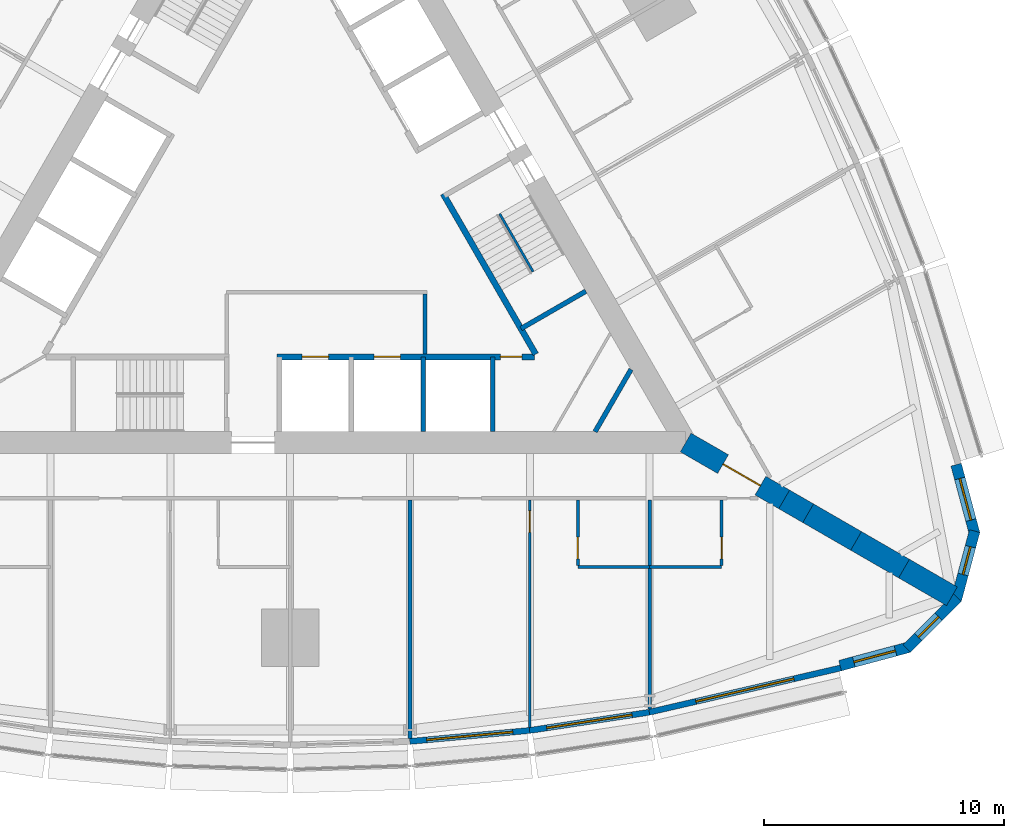
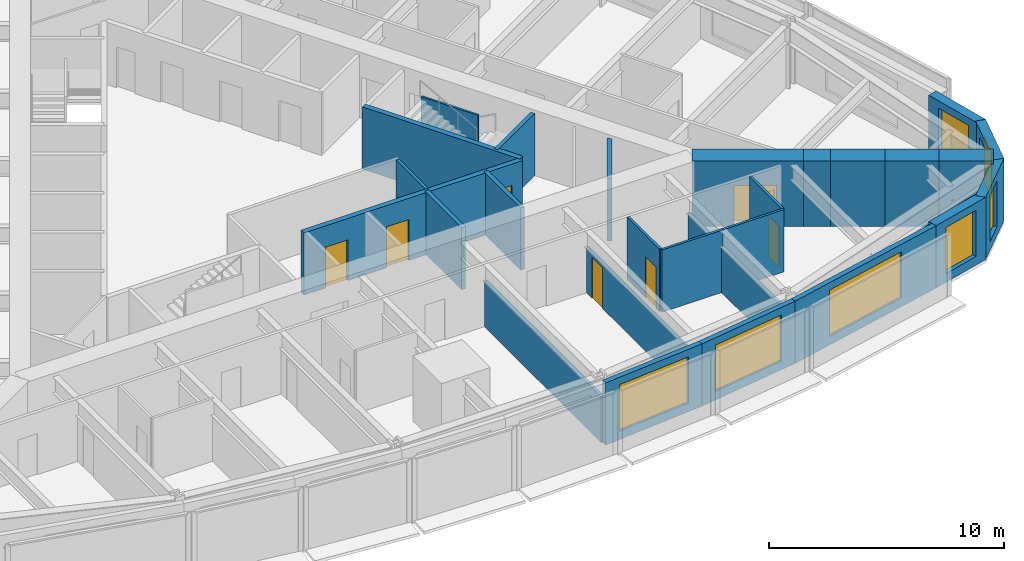
# One storey, part 10 of 14: 27 walls, 7 doors, 7 windows, 14 openings.
"""IFC4 building model written with IfcOpenShell, lengths in metres."""

from ifc_helpers import new_model, si_unit, direction, frame, frame_2d, origin, place, context, subcontext, project, spatial, polyline, rectangle, outline, extrude, material, layer, layer_set, type_object, element, fill, save


model = new_model("IFC4")

# Units and contexts
model_context = context("Model", 3, precision=1e-05, world=origin(), true_north=direction((0.0, 1.0)))
body_context = subcontext(model_context, "Body", "Model", "MODEL_VIEW")
ifc_project = project(units=[si_unit("LENGTHUNIT", "METRE"), si_unit("AREAUNIT", "SQUARE_METRE"), si_unit("VOLUMEUNIT", "CUBIC_METRE"), si_unit("PLANEANGLEUNIT", "RADIAN"), si_unit("MASSUNIT", "GRAM", prefix="KILO")], contexts=[model_context])

# Site, building, storey
site_placement = place(None, origin())
site = spatial("IfcSite", under=ifc_project, at=site_placement, CompositionType="ELEMENT")
building_placement = place(site_placement, origin())
building = spatial("IfcBuilding", under=site, at=building_placement, Name="Trikona Tower", CompositionType="ELEMENT")
storey_placement = place(building_placement, frame((0.0, 0.0, 96.5)))
storey = spatial("IfcBuildingStorey", under=building, at=storey_placement, Name="L25", CompositionType="ELEMENT", Elevation=96.5)

# Wall
ifc_material_1 = material(Name="Metal stud and cement board", Category="gypsum")
ifc_layer_1 = layer(ifc_material_1, 0.1201171875)
ifc_layer_set_1 = layer_set([ifc_layer_1], Name="Bathroom wall 120")
wall_type_1 = type_object("IfcWallType", Name="Bathroom wall 120", PredefinedType="PLUMBINGWALL", material=ifc_layer_set_1)
wall_1_placement = place(storey_placement, frame((12.0, -14.726318359375, 0.0), z_axis=(0.0, 0.0, 1.0), x_axis=(1.0, 0.0, 0.0)))
element("IfcWall", 1, at=wall_1_placement, inside=storey, type_object=wall_type_1, Name="Bathroom wall 2503.1", PredefinedType="PLUMBINGWALL", context=body_context, shape_type="SweptSolid", body=[
    extrude(rectangle(XDim=3.0, YDim=0.1201171875, at=frame_2d((1.5, 0.0))), origin(), (0.0, 0.0, 1.0), 3.235107421875),
])

# Wall, opening, door
wall_2_placement = place(storey_placement, frame((12.0, -11.92626953125, 0.0), z_axis=(0.0, 0.0, 1.0), x_axis=(0.0, -1.0, 0.0)))
wall_2 = element("IfcWall", 2, at=wall_2_placement, inside=storey, type_object=wall_type_1, Name="Bathroom wall 2503.1", PredefinedType="PLUMBINGWALL", context=body_context, shape_type="SweptSolid", body=[
    extrude(rectangle(XDim=2.739990234375, YDim=0.1201171875, at=frame_2d((1.3701171875, 0.0))), origin(), (0.0, 0.0, 1.0), 3.235107421875),
])
opening_1_placement = place(wall_2_placement, frame((1.550048828125, 0.0, 0.0)))
opening_1 = element("IfcOpeningElement", 3, at=opening_1_placement, cuts=wall_2, Name="Opening D2", PredefinedType="OPENING", context=body_context, shape_type="SweptSolid", body=[
    extrude(rectangle(XDim=0.89990234375, YDim=2.1298828125, at=frame_2d((0.449951171875, 1.06494140625))), frame((0.0, 0.070068359375, 0.0), z_axis=(0.0, -1.0, 0.0), x_axis=(1.0, 0.0, 0.0)), (0.0, 0.0, 1.0), 0.14013671875),
])
ifc_material_2 = material(Name="Steel door frame with solid-core timber leaf", Category="steel")
door_type_1 = type_object("IfcDoorType", Name="Bathroom door 900x2130", OperationType="SLIDING_TO_LEFT", PredefinedType="DOOR", material=ifc_material_2)
door_1_placement = place(opening_1_placement, origin())
door_1 = element("IfcDoor", 4, at=door_1_placement, inside=storey, type_object=door_type_1, Name="Bathroom door 2503.1", OperationType="SLIDING_TO_LEFT", OverallHeight=2.1298828125, OverallWidth=0.89990234375, PredefinedType="DOOR", context=body_context, shape_type="SweptSolid", body=[
    extrude(rectangle(XDim=0.89990234375, YDim=2.1298828125, at=frame_2d((0.449951171875, 1.06494140625))), frame((0.0, 0.02490234375, 0.0), z_axis=(0.0, -1.0, 0.0), x_axis=(1.0, 0.0, 0.0)), (0.0, 0.0, 1.0), 0.050048828125),
])
fill(opening_1, door_1)

# Wall
wall_3_placement = place(storey_placement, frame((15.0, -14.726318359375, 0.0), z_axis=(0.0, 0.0, 1.0), x_axis=(1.0, 0.0, 0.0)))
element("IfcWall", 5, at=wall_3_placement, inside=storey, type_object=wall_type_1, Name="Bathroom wall 2504", PredefinedType="PLUMBINGWALL", context=body_context, shape_type="SweptSolid", body=[
    extrude(rectangle(XDim=3.0, YDim=0.1201171875, at=frame_2d((1.5, 0.0))), origin(), (0.0, 0.0, 1.0), 3.235107421875),
])

# Wall, opening, door
wall_4_placement = place(storey_placement, frame((18.0, -11.92626953125, 0.0), z_axis=(0.0, 0.0, 1.0), x_axis=(0.0, -1.0, 0.0)))
wall_4 = element("IfcWall", 6, at=wall_4_placement, inside=storey, type_object=wall_type_1, Name="Bathroom wall 2504", PredefinedType="PLUMBINGWALL", context=body_context, shape_type="SweptSolid", body=[
    extrude(rectangle(XDim=2.739990234375, YDim=0.1201171875, at=frame_2d((1.3701171875, 0.0))), origin(), (0.0, 0.0, 1.0), 3.235107421875),
])
opening_2_placement = place(wall_4_placement, frame((1.550048828125, 0.0, 0.0)))
opening_2 = element("IfcOpeningElement", 7, at=opening_2_placement, cuts=wall_4, Name="Opening D2", PredefinedType="OPENING", context=body_context, shape_type="SweptSolid", body=[
    extrude(rectangle(XDim=0.89990234375, YDim=2.1298828125, at=frame_2d((0.449951171875, 1.06494140625))), frame((0.0, 0.070068359375, 0.0), z_axis=(0.0, -1.0, 0.0), x_axis=(1.0, 0.0, 0.0)), (0.0, 0.0, 1.0), 0.14013671875),
])
door_2_placement = place(opening_2_placement, origin())
door_2 = element("IfcDoor", 8, at=door_2_placement, inside=storey, type_object=door_type_1, Name="Bathroom door 2504", OperationType="SLIDING_TO_LEFT", OverallHeight=2.1298828125, OverallWidth=0.89990234375, PredefinedType="DOOR", context=body_context, shape_type="SweptSolid", body=[
    extrude(rectangle(XDim=0.89990234375, YDim=2.1298828125, at=frame_2d((0.449951171875, 1.06494140625))), frame((0.0, 0.02490234375, 0.0), z_axis=(0.0, -1.0, 0.0), x_axis=(1.0, 0.0, 0.0)), (0.0, 0.0, 1.0), 0.050048828125),
])
fill(opening_2, door_2)

# Wall, opening, window
ifc_material_3 = material(Name="Brick-faced precast concrete", Category="masonry")
ifc_layer_2 = layer(ifc_material_3, 0.449951171875)
ifc_layer_set_2 = layer_set([ifc_layer_2], Name="Brick-faced corner wall 450")
wall_type_2 = type_object("IfcWallType", Name="Brick-faced corner wall 450", PredefinedType="SOLIDWALL", material=ifc_layer_set_2)
wall_5_placement = place(storey_placement, frame((22.94189453125, -18.835205078125, 0.0), z_axis=(0.0, 0.0, 1.0), x_axis=(0.965930548995, 0.258801419081, 0.0)))
wall_5 = element("IfcWall", 9, at=wall_5_placement, inside=storey, type_object=wall_type_2, Name="External wall L25-08", PredefinedType="SOLIDWALL", context=body_context, shape_type="SweptSolid", body=[
    extrude(rectangle(XDim=2.988525390625, YDim=0.449951171875, at=frame_2d((1.494140625, 0.0))), origin(), (0.0, 0.0, 1.0), 3.235107421875),
])
opening_3_placement = place(wall_5_placement, frame((0.59423828125, 0.0, 0.449951171875)))
opening_3 = element("IfcOpeningElement", 10, at=opening_3_placement, cuts=wall_5, Name="Opening W1824", PredefinedType="OPENING", context=body_context, shape_type="SweptSolid", body=[
    extrude(rectangle(XDim=1.800048828125, YDim=2.39990234375, at=frame_2d((0.89990234375, 1.199951171875))), frame((0.0, 0.23486328125, 0.0), z_axis=(0.0, -1.0, 0.0), x_axis=(1.0, 0.0, 0.0)), (0.0, 0.0, 1.0), 0.469970703125),
])
ifc_material_4 = material(Name="Aluminium-framed double glazing", Category="aluminium")
window_type_1 = type_object("IfcWindowType", Name="Window 1800x2400", PartitioningType="SINGLE_PANEL", PredefinedType="WINDOW", material=ifc_material_4)
window_1_placement = place(opening_3_placement, origin())
window_1 = element("IfcWindow", 11, at=window_1_placement, inside=storey, type_object=window_type_1, Name="Window 2504", OverallHeight=2.39990234375, OverallWidth=1.800048828125, PartitioningType="SINGLE_PANEL", PredefinedType="WINDOW", context=body_context, shape_type="SweptSolid", body=[
    extrude(rectangle(XDim=1.800048828125, YDim=2.39990234375, at=frame_2d((0.89990234375, 1.199951171875))), frame((0.0, 0.030029296875, 0.0), z_axis=(0.0, -1.0, 0.0), x_axis=(1.0, 0.0, 0.0)), (0.0, 0.0, 1.0), 0.06005859375),
])
fill(opening_3, window_1)

wall_6_placement = place(storey_placement, frame((25.727783203125, -18.1201171875, 0.0), z_axis=(0.0, 0.0, 1.0), x_axis=(0.707025086683, 0.707188466253, 0.0)))
wall_6 = element("IfcWall", 12, at=wall_6_placement, inside=storey, type_object=wall_type_2, Name="External wall L25-09", PredefinedType="SOLIDWALL", context=body_context, shape_type="SweptSolid", body=[
    extrude(outline(polyline([(2.988525390625, 0.22509765625), (2.929931640625, 0.22509765625), (2.4375, 0.093017578125), (2.402099609375, 0.22509765625), (0.0, 0.22509765625), (0.0, -0.22509765625), (2.988525390625, -0.22509765625), (2.988525390625, 0.22509765625)])), origin(), (0.0, 0.0, 1.0), 3.235107421875),
])
opening_4_placement = place(wall_6_placement, frame((0.676025390625, 0.0, 0.449951171875)))
opening_4 = element("IfcOpeningElement", 13, at=opening_4_placement, cuts=wall_6, Name="Opening W1224", PredefinedType="OPENING", context=body_context, shape_type="SweptSolid", body=[
    extrude(rectangle(XDim=1.199951171875, YDim=2.39990234375, at=frame_2d((0.60009765625, 1.199951171875))), frame((0.0, 0.23486328125, 0.0), z_axis=(0.0, -1.0, 0.0), x_axis=(1.0, 0.0, 0.0)), (0.0, 0.0, 1.0), 0.469970703125),
])
ifc_material_5 = material(Name="Aluminium-framed double glazing", Category="aluminium")
window_type_2 = type_object("IfcWindowType", Name="Window 1200x2400", PartitioningType="SINGLE_PANEL", PredefinedType="WINDOW", material=ifc_material_5)
window_2_placement = place(opening_4_placement, origin())
window_2 = element("IfcWindow", 14, at=window_2_placement, inside=storey, type_object=window_type_2, Name="Window 2504", OverallHeight=2.39990234375, OverallWidth=1.199951171875, PartitioningType="SINGLE_PANEL", PredefinedType="WINDOW", context=body_context, shape_type="SweptSolid", body=[
    extrude(rectangle(XDim=1.199951171875, YDim=2.39990234375, at=frame_2d((0.60009765625, 1.199951171875))), frame((0.0, 0.030029296875, 0.0), z_axis=(0.0, -1.0, 0.0), x_axis=(1.0, 0.0, 0.0)), (0.0, 0.0, 1.0), 0.06005859375),
])
fill(opening_4, window_2)

wall_7_placement = place(storey_placement, frame((27.78271484375, -16.107666015625, 0.0), z_axis=(0.0, 0.0, 1.0), x_axis=(0.258801419081, 0.965930548995, 0.0)))
wall_7 = element("IfcWall", 15, at=wall_7_placement, inside=storey, type_object=wall_type_2, Name="External wall L25-10", PredefinedType="SOLIDWALL", context=body_context, shape_type="SweptSolid", body=[
    extrude(outline(polyline([(2.988525390625, 0.22509765625), (0.58642578125, 0.22509765625), (0.55126953125, 0.09326171875), (0.0595703125, 0.22509765625), (0.0, 0.22509765625), (0.0, -0.22509765625), (2.988525390625, -0.22509765625), (2.988525390625, 0.22509765625)])), origin(), (0.0, 0.0, 1.0), 3.235107421875),
])
opening_5_placement = place(wall_7_placement, frame((1.112548828125, 0.0, 0.449951171875)))
opening_5 = element("IfcOpeningElement", 16, at=opening_5_placement, cuts=wall_7, Name="Opening W1224", PredefinedType="OPENING", context=body_context, shape_type="SweptSolid", body=[
    extrude(rectangle(XDim=1.199951171875, YDim=2.39990234375, at=frame_2d((0.60009765625, 1.199951171875))), frame((0.0, 0.23486328125, 0.0), z_axis=(0.0, -1.0, 0.0), x_axis=(1.0, 0.0, 0.0)), (0.0, 0.0, 1.0), 0.469970703125),
])
window_3_placement = place(opening_5_placement, origin())
window_3 = element("IfcWindow", 17, at=window_3_placement, inside=storey, type_object=window_type_2, Name="Window 2505", OverallHeight=2.39990234375, OverallWidth=1.199951171875, PartitioningType="SINGLE_PANEL", PredefinedType="WINDOW", context=body_context, shape_type="SweptSolid", body=[
    extrude(rectangle(XDim=1.199951171875, YDim=2.39990234375, at=frame_2d((0.60009765625, 1.199951171875))), frame((0.0, 0.030029296875, 0.0), z_axis=(0.0, -1.0, 0.0), x_axis=(1.0, 0.0, 0.0)), (0.0, 0.0, 1.0), 0.06005859375),
])
fill(opening_5, window_3)

wall_8_placement = place(storey_placement, frame((28.55615234375, -13.33740234375, 0.0), z_axis=(0.0, 0.0, 1.0), x_axis=(-0.258780998834, 0.965936019953, 0.0)))
wall_8 = element("IfcWall", 18, at=wall_8_placement, inside=storey, type_object=wall_type_2, Name="External wall L25-11", PredefinedType="SOLIDWALL", context=body_context, shape_type="SweptSolid", body=[
    extrude(rectangle(XDim=2.98876953125, YDim=0.449951171875, at=frame_2d((1.494384765625, 0.0))), origin(), (0.0, 0.0, 1.0), 3.235107421875),
])
opening_6_placement = place(wall_8_placement, frame((0.59423828125, 0.0, 0.449951171875)))
opening_6 = element("IfcOpeningElement", 19, at=opening_6_placement, cuts=wall_8, Name="Opening W1824", PredefinedType="OPENING", context=body_context, shape_type="SweptSolid", body=[
    extrude(rectangle(XDim=1.800048828125, YDim=2.39990234375, at=frame_2d((0.89990234375, 1.199951171875))), frame((0.0, 0.23486328125, 0.0), z_axis=(0.0, -1.0, 0.0), x_axis=(1.0, 0.0, 0.0)), (0.0, 0.0, 1.0), 0.469970703125),
])
window_4_placement = place(opening_6_placement, origin())
window_4 = element("IfcWindow", 20, at=window_4_placement, inside=storey, type_object=window_type_1, Name="Window 2505", OverallHeight=2.39990234375, OverallWidth=1.800048828125, PartitioningType="SINGLE_PANEL", PredefinedType="WINDOW", context=body_context, shape_type="SweptSolid", body=[
    extrude(rectangle(XDim=1.800048828125, YDim=2.39990234375, at=frame_2d((0.89990234375, 1.199951171875))), frame((0.0, 0.030029296875, 0.0), z_axis=(0.0, -1.0, 0.0), x_axis=(1.0, 0.0, 0.0)), (0.0, 0.0, 1.0), 0.06005859375),
])
fill(opening_6, window_4)

# Wall, opening, door
ifc_material_6 = material(Name="Concrete f'c 10000 psi", Category="concrete")
ifc_layer_3 = layer(ifc_material_6, 0.89990234375)
ifc_layer_set_3 = layer_set([ifc_layer_3], Name="Buttress wall 900")
wall_type_3 = type_object("IfcWallType", Name="Buttress wall 900", PredefinedType="SHEAR", material=ifc_layer_set_3)
wall_9_placement = place(storey_placement, frame((16.5, -9.5263671875, 0.0), z_axis=(0.0, 0.0, 1.0), x_axis=(0.866031398331, -0.499989616998, 0.0)))
wall_9 = element("IfcWall", 21, at=wall_9_placement, inside=storey, type_object=wall_type_3, Name="Buttress wall 1", PredefinedType="SHEAR", context=body_context, shape_type="SweptSolid", body=[
    extrude(rectangle(XDim=4.74609375, YDim=0.89990234375, at=frame_2d((2.373046875, 0.0))), origin(), (0.0, 0.0, 1.0), 3.39990234375),
])
opening_7_placement = place(wall_9_placement, frame((1.800048828125, 0.0, 0.0)))
opening_7 = element("IfcOpeningElement", 22, at=opening_7_placement, cuts=wall_9, Name="Opening D10", PredefinedType="OPENING", context=body_context, shape_type="SweptSolid", body=[
    extrude(rectangle(XDim=1.800048828125, YDim=2.1298828125, at=frame_2d((0.89990234375, 1.06494140625))), frame((0.0, 0.4599609375, 0.0), z_axis=(0.0, -1.0, 0.0), x_axis=(1.0, 0.0, 0.0)), (0.0, 0.0, 1.0), 0.919921875),
])
ifc_material_7 = material(Name="Hollow metal door and frame", Category="steel")
door_type_2 = type_object("IfcDoorType", Name="Cross-corridor door pair 1800x2130", OperationType="DOUBLE_DOOR_DOUBLE_SWING", PredefinedType="DOOR", material=ifc_material_7)
door_3_placement = place(opening_7_placement, origin())
door_3 = element("IfcDoor", 23, at=door_3_placement, inside=storey, type_object=door_type_2, Name="Cross-corridor door 1", OperationType="DOUBLE_DOOR_DOUBLE_SWING", OverallHeight=2.1298828125, OverallWidth=1.800048828125, PredefinedType="DOOR", context=body_context, shape_type="SweptSolid", body=[
    extrude(rectangle(XDim=1.800048828125, YDim=2.1298828125, at=frame_2d((0.89990234375, 1.06494140625))), frame((0.0, 0.02490234375, 0.0), z_axis=(0.0, -1.0, 0.0), x_axis=(1.0, 0.0, 0.0)), (0.0, 0.0, 1.0), 0.050048828125),
])
fill(opening_7, door_3)

# Walls
wall_10_placement = place(storey_placement, frame((20.6103515625, -11.8994140625, 0.0), z_axis=(0.0, 0.0, 1.0), x_axis=(0.866009537788, -0.500027479704, 0.0)))
element("IfcWall", 24, at=wall_10_placement, inside=storey, type_object=wall_type_3, Name="Buttress wall 1 part 2", PredefinedType="SHEAR", context=body_context, shape_type="SweptSolid", body=[
    extrude(rectangle(XDim=1.15478515625, YDim=0.89990234375, at=frame_2d((0.577392578125, 0.0))), origin(), (0.0, 0.0, 1.0), 3.39990234375),
])
for number, where, z_axis, x_axis, name in (
    (25, (21.6103515625, -12.476806640625, 0.0), (0.0, 0.0, 1.0), (0.866055313784, -0.499948190782, 0.0), "Buttress wall 1 part 3"),
    (26, (23.6103515625, -13.63134765625, 0.0), (0.0, 0.0, 1.0), (0.866009537788, -0.500027479704, 0.0), "Buttress wall 1 part 4"),
    (27, (25.6103515625, -14.7861328125, 0.0), (0.0, 0.0, 1.0), (0.866009537788, -0.500027479704, 0.0), "Buttress wall 1 part 5"),
):
    element("IfcWall", number, at=place(storey_placement, frame(where, z_axis=z_axis, x_axis=x_axis)), inside=storey, type_object=wall_type_3, Name=name, PredefinedType="SHEAR", context=body_context, shape_type="SweptSolid", body=[
        extrude(rectangle(XDim=2.309326171875, YDim=0.89990234375, at=frame_2d((1.15478515625, 0.0))), origin(), (0.0, 0.0, 1.0), 3.39990234375),
    ])

# Wall, openings, doors
ifc_material_8 = material(Name="Concrete f'c 8000 psi", Category="concrete")
ifc_layer_4 = layer(ifc_material_8, 0.25)
ifc_layer_set_4 = layer_set([ifc_layer_4], Name="Hub wall 250")
wall_type_4 = type_object("IfcWallType", Name="Hub wall 250", PredefinedType="SOLIDWALL", material=ifc_layer_set_4)
wall_11_placement = place(storey_placement, frame((-0.550048828125, -5.951416015625, 0.0), z_axis=(0.0, 0.0, 1.0), x_axis=(1.0, 0.0, 0.0)))
wall_11 = element("IfcWall", 28, at=wall_11_placement, inside=storey, type_object=wall_type_4, Name="Lift lobby wall A2", PredefinedType="SOLIDWALL", context=body_context, shape_type="SweptSolid", body=[
    extrude(rectangle(XDim=10.73291015625, YDim=0.25, at=frame_2d((5.366455078125, 0.0))), origin(), (0.0, 0.0, 1.0), 3.235107421875),
])
opening_8_placement = place(wall_11_placement, frame((9.31396484375, 0.0, 0.0)))
opening_8 = element("IfcOpeningElement", 29, at=opening_8_placement, cuts=wall_11, Name="Opening D14", PredefinedType="OPENING", context=body_context, shape_type="SweptSolid", body=[
    extrude(rectangle(XDim=0.89990234375, YDim=2.1298828125, at=frame_2d((0.449951171875, 1.06494140625))), frame((0.0, 0.135009765625, 0.0), z_axis=(0.0, -1.0, 0.0), x_axis=(1.0, 0.0, 0.0)), (0.0, 0.0, 1.0), 0.27001953125),
])
opening_9_placement = place(wall_11_placement, frame((1.050048828125, 0.0, 0.0)))
opening_9 = element("IfcOpeningElement", 30, at=opening_9_placement, cuts=wall_11, Name="Opening LD", PredefinedType="OPENING", context=body_context, shape_type="SweptSolid", body=[
    extrude(rectangle(XDim=1.10009765625, YDim=2.1298828125, at=frame_2d((0.550048828125, 1.06494140625))), frame((0.0, 0.135009765625, 0.0), z_axis=(0.0, -1.0, 0.0), x_axis=(1.0, 0.0, 0.0)), (0.0, 0.0, 1.0), 0.27001953125),
])
opening_10_placement = place(wall_11_placement, frame((4.050048828125, 0.0, 0.0)))
opening_10 = element("IfcOpeningElement", 31, at=opening_10_placement, cuts=wall_11, Name="Opening LD", PredefinedType="OPENING", context=body_context, shape_type="SweptSolid", body=[
    extrude(rectangle(XDim=1.10009765625, YDim=2.1298828125, at=frame_2d((0.550048828125, 1.06494140625))), frame((0.0, 0.135009765625, 0.0), z_axis=(0.0, -1.0, 0.0), x_axis=(1.0, 0.0, 0.0)), (0.0, 0.0, 1.0), 0.27001953125),
])
ifc_material_9 = material(Name="Stainless steel lift landing door", Category="steel")
door_type_3 = type_object("IfcDoorType", Name="Lift landing door 1100x2130", OperationType="DOUBLE_DOOR_SLIDING", PredefinedType="USERDEFINED", material=ifc_material_9)
door_4_placement = place(opening_9_placement, origin())
door_4 = element("IfcDoor", 32, at=door_4_placement, inside=storey, type_object=door_type_3, Name="Lift landing door FF1", ObjectType="LIFT LANDING DOOR", OperationType="DOUBLE_DOOR_SLIDING", OverallHeight=2.1298828125, OverallWidth=1.10009765625, PredefinedType="USERDEFINED", context=body_context, shape_type="SweptSolid", body=[
    extrude(rectangle(XDim=1.10009765625, YDim=2.1298828125, at=frame_2d((0.550048828125, 1.06494140625))), frame((0.0, 0.02490234375, 0.0), z_axis=(0.0, -1.0, 0.0), x_axis=(1.0, 0.0, 0.0)), (0.0, 0.0, 1.0), 0.050048828125),
])
fill(opening_9, door_4)
door_5_placement = place(opening_10_placement, origin())
door_5 = element("IfcDoor", 33, at=door_5_placement, inside=storey, type_object=door_type_3, Name="Lift landing door FF2", ObjectType="LIFT LANDING DOOR", OperationType="DOUBLE_DOOR_SLIDING", OverallHeight=2.1298828125, OverallWidth=1.10009765625, PredefinedType="USERDEFINED", context=body_context, shape_type="SweptSolid", body=[
    extrude(rectangle(XDim=1.10009765625, YDim=2.1298828125, at=frame_2d((0.550048828125, 1.06494140625))), frame((0.0, 0.02490234375, 0.0), z_axis=(0.0, -1.0, 0.0), x_axis=(1.0, 0.0, 0.0)), (0.0, 0.0, 1.0), 0.050048828125),
])
fill(opening_10, door_5)
ifc_material_10 = material(Name="Hollow metal door and frame", Category="steel")
door_type_4 = type_object("IfcDoorType", Name="Service room door 900x2130", OperationType="SINGLE_SWING_LEFT", PredefinedType="DOOR", material=ifc_material_10)
door_6_placement = place(opening_8_placement, origin())
door_6 = element("IfcDoor", 34, at=door_6_placement, inside=storey, type_object=door_type_4, Name="Door Housekeeping store HKS", OperationType="SINGLE_SWING_RIGHT", OverallHeight=2.1298828125, OverallWidth=0.89990234375, PredefinedType="DOOR", context=body_context, shape_type="SweptSolid", body=[
    extrude(rectangle(XDim=0.89990234375, YDim=2.1298828125, at=frame_2d((0.449951171875, 1.06494140625))), frame((0.0, 0.02490234375, 0.0), z_axis=(0.0, -1.0, 0.0), x_axis=(1.0, 0.0, 0.0)), (0.0, 0.0, 1.0), 0.050048828125),
])
fill(opening_8, door_6)

# Wall
wall_12_placement = place(storey_placement, frame((10.245361328125, -5.843017578125, 0.0), z_axis=(0.0, 0.0, 1.0), x_axis=(-0.499993009313, 0.866029439822, 0.0)))
element("IfcWall", 35, at=wall_12_placement, inside=storey, type_object=wall_type_4, Name="Lift lobby wall B1", PredefinedType="SOLIDWALL", context=body_context, shape_type="SweptSolid", body=[
    extrude(rectangle(XDim=7.73291015625, YDim=0.25, at=frame_2d((3.866455078125, 0.0))), origin(), (0.0, 0.0, 1.0), 3.235107421875),
])

# Wall, opening, window
ifc_material_11 = material(Name="Insulated precast concrete spandrel panel", Category="concrete")
ifc_layer_5 = layer(ifc_material_11, 0.25)
ifc_layer_set_5 = layer_set([ifc_layer_5], Name="Inner skin wall 250")
wall_type_5 = type_object("IfcWallType", Name="Inner skin wall 250", PredefinedType="STANDARD", material=ifc_layer_set_5)
wall_13_placement = place(storey_placement, frame((4.988525390625, -21.995849609375, 0.0), z_axis=(0.0, 0.0, 1.0), x_axis=(0.995857256774, 0.090930325692, 0.0)))
wall_13 = element("IfcWall", 36, at=wall_13_placement, inside=storey, type_object=wall_type_5, Name="External wall L25-05", PredefinedType="STANDARD", context=body_context, shape_type="SweptSolid", body=[
    extrude(rectangle(XDim=5.020751953125, YDim=0.25, at=frame_2d((2.51025390625, 0.0))), origin(), (0.0, 0.0, 1.0), 3.235107421875),
])
opening_11_placement = place(wall_13_placement, frame((0.71044921875, 0.0, 0.449951171875)))
opening_11 = element("IfcOpeningElement", 37, at=opening_11_placement, cuts=wall_13, Name="Opening W3624", PredefinedType="OPENING", context=body_context, shape_type="SweptSolid", body=[
    extrude(rectangle(XDim=3.60009765625, YDim=2.39990234375, at=frame_2d((1.800048828125, 1.199951171875))), frame((0.0, 0.135009765625, 0.0), z_axis=(0.0, -1.0, 0.0), x_axis=(1.0, 0.0, 0.0)), (0.0, 0.0, 1.0), 0.27001953125),
])
ifc_material_12 = material(Name="Aluminium-framed double glazing", Category="aluminium")
window_type_3 = type_object("IfcWindowType", Name="Window 3600x2400", PartitioningType="SINGLE_PANEL", PredefinedType="WINDOW", material=ifc_material_12)
window_5_placement = place(opening_11_placement, origin())
window_5 = element("IfcWindow", 38, at=window_5_placement, inside=storey, type_object=window_type_3, Name="Window 2503", OverallHeight=2.39990234375, OverallWidth=3.60009765625, PartitioningType="SINGLE_PANEL", PredefinedType="WINDOW", context=body_context, shape_type="SweptSolid", body=[
    extrude(rectangle(XDim=3.60009765625, YDim=2.39990234375, at=frame_2d((1.800048828125, 1.199951171875))), frame((0.0, 0.030029296875, 0.0), z_axis=(0.0, -1.0, 0.0), x_axis=(1.0, 0.0, 0.0)), (0.0, 0.0, 1.0), 0.06005859375),
])
fill(opening_11, window_5)

wall_14_placement = place(storey_placement, frame((9.981201171875, -21.540283203125, 0.0), z_axis=(0.0, 0.0, 1.0), x_axis=(0.988615403399, 0.150464561152, 0.0)))
wall_14 = element("IfcWall", 39, at=wall_14_placement, inside=storey, type_object=wall_type_5, Name="External wall L25-06", PredefinedType="STANDARD", context=body_context, shape_type="SweptSolid", body=[
    extrude(rectangle(XDim=5.0576171875, YDim=0.25, at=frame_2d((2.52880859375, 0.0))), origin(), (0.0, 0.0, 1.0), 3.235107421875),
])
opening_12_placement = place(wall_14_placement, frame((0.728759765625, 0.0, 0.449951171875)))
opening_12 = element("IfcOpeningElement", 40, at=opening_12_placement, cuts=wall_14, Name="Opening W3624", PredefinedType="OPENING", context=body_context, shape_type="SweptSolid", body=[
    extrude(rectangle(XDim=3.60009765625, YDim=2.39990234375, at=frame_2d((1.800048828125, 1.199951171875))), frame((0.0, 0.135009765625, 0.0), z_axis=(0.0, -1.0, 0.0), x_axis=(1.0, 0.0, 0.0)), (0.0, 0.0, 1.0), 0.27001953125),
])
window_6_placement = place(opening_12_placement, origin())
window_6 = element("IfcWindow", 41, at=window_6_placement, inside=storey, type_object=window_type_3, Name="Window 2503.1", OverallHeight=2.39990234375, OverallWidth=3.60009765625, PartitioningType="SINGLE_PANEL", PredefinedType="WINDOW", context=body_context, shape_type="SweptSolid", body=[
    extrude(rectangle(XDim=3.60009765625, YDim=2.39990234375, at=frame_2d((1.800048828125, 1.199951171875))), frame((0.0, 0.030029296875, 0.0), z_axis=(0.0, -1.0, 0.0), x_axis=(1.0, 0.0, 0.0)), (0.0, 0.0, 1.0), 0.06005859375),
])
fill(opening_12, window_6)

wall_15_placement = place(storey_placement, frame((14.9716796875, -20.78125, 0.0), z_axis=(0.0, 0.0, 1.0), x_axis=(0.974279327392, 0.225343720163, 0.0)))
wall_15 = element("IfcWall", 42, at=wall_15_placement, inside=storey, type_object=wall_type_5, Name="External wall L25-07", PredefinedType="STANDARD", context=body_context, shape_type="SweptSolid", body=[
    extrude(rectangle(XDim=8.211181640625, YDim=0.25, at=frame_2d((4.10546875, 0.0))), origin(), (0.0, 0.0, 1.0), 3.235107421875),
])
opening_13_placement = place(wall_15_placement, frame((2.005615234375, 0.0, 0.449951171875)))
opening_13 = element("IfcOpeningElement", 43, at=opening_13_placement, cuts=wall_15, Name="Opening W4224", PredefinedType="OPENING", context=body_context, shape_type="SweptSolid", body=[
    extrude(rectangle(XDim=4.199951171875, YDim=2.39990234375, at=frame_2d((2.10009765625, 1.199951171875))), frame((0.0, 0.135009765625, 0.0), z_axis=(0.0, -1.0, 0.0), x_axis=(1.0, 0.0, 0.0)), (0.0, 0.0, 1.0), 0.27001953125),
])
ifc_material_13 = material(Name="Aluminium-framed double glazing", Category="aluminium")
window_type_4 = type_object("IfcWindowType", Name="Window 4200x2400", PartitioningType="SINGLE_PANEL", PredefinedType="WINDOW", material=ifc_material_13)
window_7_placement = place(opening_13_placement, origin())
window_7 = element("IfcWindow", 44, at=window_7_placement, inside=storey, type_object=window_type_4, Name="Window 2504", OverallHeight=2.39990234375, OverallWidth=4.199951171875, PartitioningType="SINGLE_PANEL", PredefinedType="WINDOW", context=body_context, shape_type="SweptSolid", body=[
    extrude(rectangle(XDim=4.199951171875, YDim=2.39990234375, at=frame_2d((2.10009765625, 1.199951171875))), frame((0.0, 0.030029296875, 0.0), z_axis=(0.0, -1.0, 0.0), x_axis=(1.0, 0.0, 0.0)), (0.0, 0.0, 1.0), 0.06005859375),
])
fill(opening_13, window_7)

# Walls
ifc_material_14 = material(Name="Metal stud and gypsum board, 2-hour shaft wall", Category="gypsum")
ifc_layer_6 = layer(ifc_material_14, 0.14990234375)
ifc_layer_set_6 = layer_set([ifc_layer_6], Name="Lobby wall 150")
wall_type_6 = type_object("IfcWallType", Name="Lobby wall 150", PredefinedType="PARTITIONING", material=ifc_layer_set_6)
wall_16_placement = place(storey_placement, frame((5.625, -5.826416015625, 0.0), z_axis=(0.0, 0.0, 1.0), x_axis=(0.0, 1.0, 0.0)))
element("IfcWall", 45, at=wall_16_placement, inside=storey, type_object=wall_type_6, Name="Fire service lift lobby wall 3", PredefinedType="PARTITIONING", context=body_context, shape_type="SweptSolid", body=[
    extrude(rectangle(XDim=2.5, YDim=0.14990234375, at=frame_2d((1.25, 0.0))), origin(), (0.0, 0.0, 1.0), 3.235107421875),
])
ifc_material_15 = material(Name="Metal stud and gypsum board, 1-hour acoustic", Category="gypsum")
ifc_layer_7 = layer(ifc_material_15, 0.14990234375)
ifc_layer_set_7 = layer_set([ifc_layer_7], Name="Party wall 150")
wall_type_7 = type_object("IfcWallType", Name="Party wall 150", PredefinedType="PARTITIONING", material=ifc_layer_set_7)
wall_17_placement = place(storey_placement, frame((5.0, -11.92626953125, 0.0), z_axis=(0.0, 0.0, 1.0), x_axis=(0.0, -1.0, 0.0)))
element("IfcWall", 46, at=wall_17_placement, inside=storey, type_object=wall_type_7, Name="Partition L25 F1 u5", PredefinedType="PARTITIONING", context=body_context, shape_type="SweptSolid", body=[
    extrude(rectangle(XDim=9.943115234375, YDim=0.14990234375, at=frame_2d((4.9716796875, 0.0))), origin(), (0.0, 0.0, 1.0), 2.38916015625),
])
wall_18_placement = place(storey_placement, frame((15.0, -11.92626953125, 0.0), z_axis=(0.0, 0.0, 1.0), x_axis=(0.0, -1.0, 0.0)))
element("IfcWall", 47, at=wall_18_placement, inside=storey, type_object=wall_type_7, Name="Partition L25 F1 u15", PredefinedType="PARTITIONING", context=body_context, shape_type="SweptSolid", body=[
    extrude(rectangle(XDim=8.72021484375, YDim=0.14990234375, at=frame_2d((4.360107421875, 0.0))), origin(), (0.0, 0.0, 1.0), 2.38916015625),
])
ifc_material_16 = material(Name="Concrete f'c 8000 psi", Category="concrete")
ifc_layer_8 = layer(ifc_material_16, 0.199951171875)
ifc_layer_set_8 = layer_set([ifc_layer_8], Name="Shaft wall 200")
wall_type_8 = type_object("IfcWallType", Name="Shaft wall 200", PredefinedType="SOLIDWALL", material=ifc_layer_set_8)
for number, where, z_axis, x_axis, name in (
    (48, (5.550048828125, -5.951416015625, 0.0), (0.0, 0.0, 1.0), (0.0, -1.0, 0.0), "Shaft wall A5"),
    (49, (8.449951171875, -5.951416015625, 0.0), (0.0, 0.0, 1.0), (0.0, -1.0, 0.0), "Shaft wall A6"),
):
    element("IfcWall", number, at=place(storey_placement, frame(where, z_axis=z_axis, x_axis=x_axis)), inside=storey, type_object=wall_type_8, Name=name, PredefinedType="SOLIDWALL", context=body_context, shape_type="SweptSolid", body=[
        extrude(rectangle(XDim=3.125, YDim=0.199951171875, at=frame_2d((1.5625, 0.0))), origin(), (0.0, 0.0, 1.0), 3.235107421875),
    ])
wall_19_placement = place(storey_placement, frame((14.219482421875, -6.476318359375, 0.0), z_axis=(0.0, 0.0, 1.0), x_axis=(-0.499952404951, -0.866052881055, 0.0)))
element("IfcWall", 50, at=wall_19_placement, inside=storey, type_object=wall_type_8, Name="Riser wall L25-RS1", PredefinedType="SOLIDWALL", context=body_context, shape_type="SweptSolid", body=[
    extrude(rectangle(XDim=3.002197265625, YDim=0.199951171875, at=frame_2d((1.5009765625, 0.0))), origin(), (0.0, 0.0, 1.0), 3.235107421875),
])
ifc_material_17 = material(Name="Concrete f'c 8000 psi", Category="concrete")
ifc_layer_9 = layer(ifc_material_17, 0.199951171875)
ifc_layer_set_9 = layer_set([ifc_layer_9], Name="Shaft wall 200 load-bearing")
wall_type_9 = type_object("IfcWallType", Name="Shaft wall 200 load-bearing", PredefinedType="SOLIDWALL", material=ifc_layer_set_9)
wall_20_placement = place(storey_placement, frame((9.62890625, -4.775390625, 0.0), z_axis=(0.0, 0.0, 1.0), x_axis=(0.866022959057, 0.500004234368, 0.0)))
element("IfcWall", 51, at=wall_20_placement, inside=storey, type_object=wall_type_9, Name="Shaft wall B1", PredefinedType="SOLIDWALL", context=body_context, shape_type="SweptSolid", body=[
    extrude(rectangle(XDim=3.125, YDim=0.199951171875, at=frame_2d((1.5625, 0.0))), origin(), (0.0, 0.0, 1.0), 3.235107421875),
])
ifc_material_18 = material(Name="Concrete f'c 5000 psi", Category="concrete")
ifc_layer_10 = layer(ifc_material_18, 0.10009765625)
ifc_layer_set_10 = layer_set([ifc_layer_10], Name="Stair spine wall 100")
wall_type_10 = type_object("IfcWallType", Name="Stair spine wall 100", PredefinedType="SOLIDWALL", material=ifc_layer_set_10)
wall_21_placement = place(storey_placement, frame((10.134765625, -2.4013671875, 0.0), z_axis=(0.0, 0.0, 1.0), x_axis=(-0.499992232847, 0.866029888106, 0.0)))
element("IfcWall", 52, at=wall_21_placement, inside=storey, type_object=wall_type_10, Name="Stair B spine wall L25", PredefinedType="SOLIDWALL", context=body_context, shape_type="SweptSolid", body=[
    extrude(rectangle(XDim=2.7939453125, YDim=0.10009765625, at=frame_2d((1.39697265625, 0.0))), origin(), (0.0, 0.0, 1.0), 3.39990234375),
])

# Wall, opening, door
ifc_material_19 = material(Name="Metal stud and gypsum board, acoustic", Category="gypsum")
ifc_layer_11 = layer(ifc_material_19, 0.10009765625)
ifc_layer_set_11 = layer_set([ifc_layer_11], Name="Suite partition 100")
wall_type_11 = type_object("IfcWallType", Name="Suite partition 100", PredefinedType="PARTITIONING", material=ifc_layer_set_11)
wall_22_placement = place(storey_placement, frame((10.0, -11.92626953125, 0.0), z_axis=(0.0, 0.0, 1.0), x_axis=(0.0, -1.0, 0.0)))
wall_22 = element("IfcWall", 53, at=wall_22_placement, inside=storey, type_object=wall_type_11, Name="Suite partition L25 F1 u10", PredefinedType="PARTITIONING", context=body_context, shape_type="SweptSolid", body=[
    extrude(rectangle(XDim=9.484619140625, YDim=0.10009765625, at=frame_2d((4.7421875, 0.0))), origin(), (0.0, 0.0, 1.0), 2.38916015625),
])
opening_14_placement = place(wall_22_placement, frame((0.449951171875, 0.0, 0.0)))
opening_14 = element("IfcOpeningElement", 54, at=opening_14_placement, cuts=wall_22, Name="Opening D13", PredefinedType="OPENING", context=body_context, shape_type="SweptSolid", body=[
    extrude(rectangle(XDim=0.89990234375, YDim=2.1298828125, at=frame_2d((0.449951171875, 1.06494140625))), frame((0.0, 0.06005859375, 0.0), z_axis=(0.0, -1.0, 0.0), x_axis=(1.0, 0.0, 0.0)), (0.0, 0.0, 1.0), 0.1201171875),
])
ifc_material_20 = material(Name="Steel door frame with solid-core timber leaf", Category="steel")
door_type_5 = type_object("IfcDoorType", Name="Suite door 900x2130", OperationType="SINGLE_SWING_LEFT", PredefinedType="DOOR", material=ifc_material_20)
door_7_placement = place(opening_14_placement, origin())
door_7 = element("IfcDoor", 55, at=door_7_placement, inside=storey, type_object=door_type_5, Name="Suite door 2503", OperationType="SINGLE_SWING_LEFT", OverallHeight=2.1298828125, OverallWidth=0.89990234375, PredefinedType="DOOR", context=body_context, shape_type="SweptSolid", body=[
    extrude(rectangle(XDim=0.89990234375, YDim=2.1298828125, at=frame_2d((0.449951171875, 1.06494140625))), frame((0.0, 0.02490234375, 0.0), z_axis=(0.0, -1.0, 0.0), x_axis=(1.0, 0.0, 0.0)), (0.0, 0.0, 1.0), 0.050048828125),
])
fill(opening_14, door_7)

save(model, "model.ifc")
